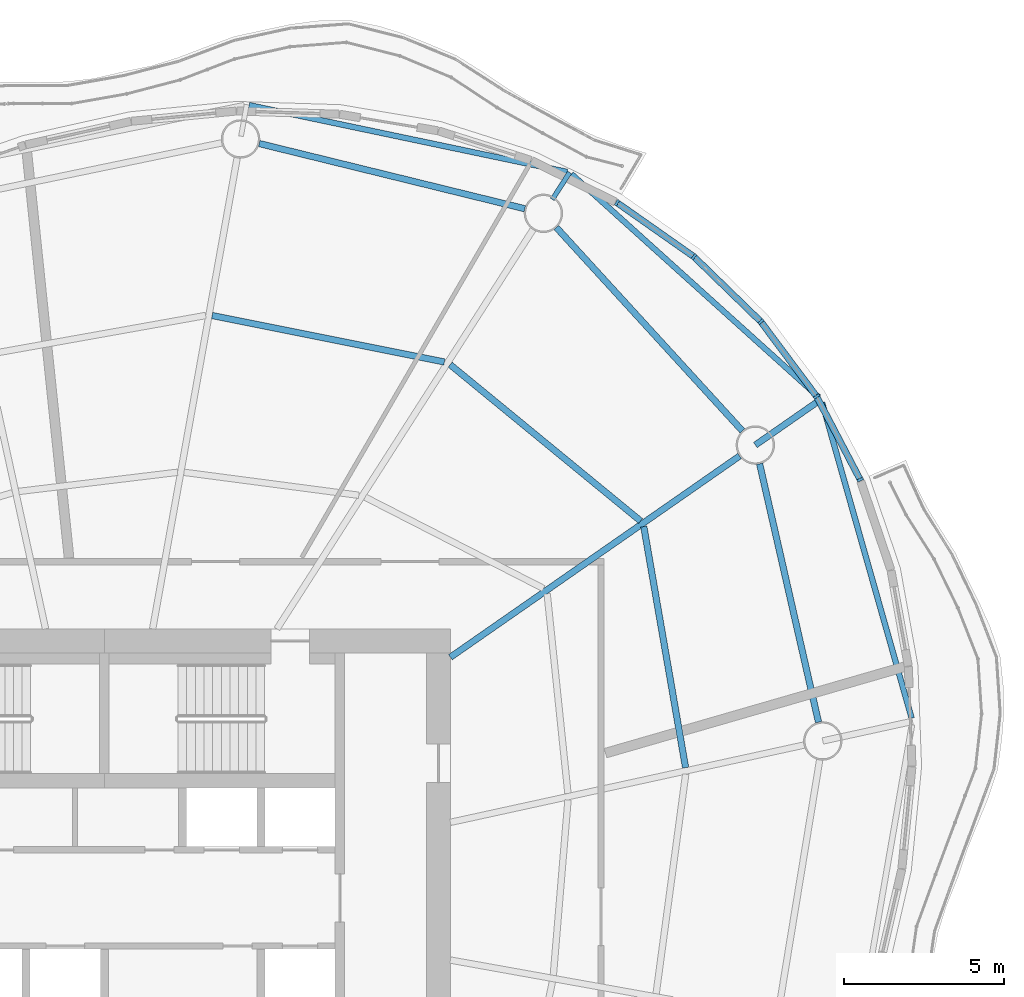
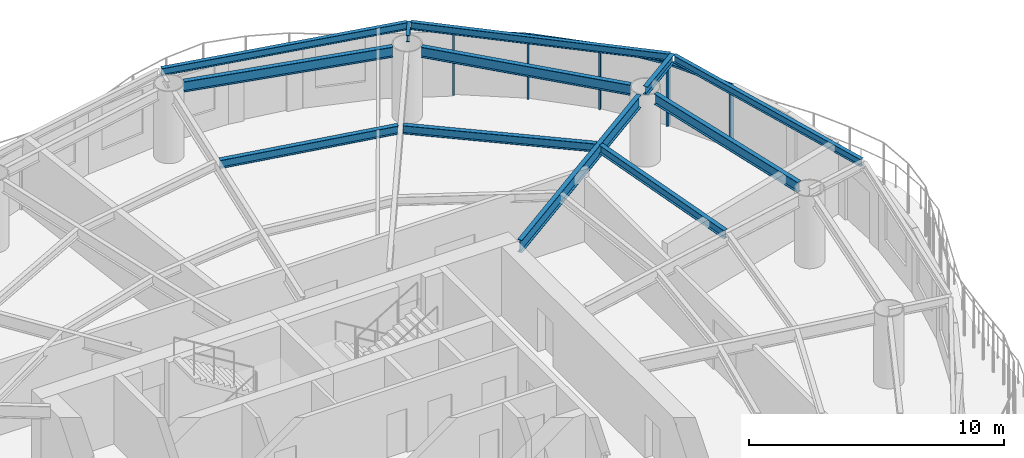
# One storey, part 6 of 14: 12 beams, 9 members, 4 elements without a shape of their own.
"""IFC4 building model written with IfcOpenShell, lengths in metres."""

from ifc_helpers import new_model, si_unit, direction, frame, origin, origin_2d, place, context, subcontext, project, spatial, rectangle, i_section, extrude, material, material_profile, profile_set, type_object, element, aggregate, save


model = new_model("IFC4")

# Units and contexts
model_context = context("Model", 3, precision=1e-05, world=origin(), true_north=direction((0.0, 1.0)))
body_context = subcontext(model_context, "Body", "Model", "MODEL_VIEW")
ifc_project = project(units=[si_unit("LENGTHUNIT", "METRE"), si_unit("AREAUNIT", "SQUARE_METRE"), si_unit("VOLUMEUNIT", "CUBIC_METRE"), si_unit("PLANEANGLEUNIT", "RADIAN"), si_unit("MASSUNIT", "GRAM", prefix="KILO")], contexts=[model_context])

# Site, building, storey
site_placement = place(None, origin())
site = spatial("IfcSite", under=ifc_project, at=site_placement, CompositionType="ELEMENT")
building_placement = place(site_placement, origin())
building = spatial("IfcBuilding", under=site, at=building_placement, Name="Vermilion Reach Broadcast Tower", CompositionType="ELEMENT")
storey_placement = place(building_placement, frame((0.0, 0.0, 199.300048828125)))
storey = spatial("IfcBuildingStorey", under=building, at=storey_placement, Name="L48", CompositionType="ELEMENT", Elevation=199.300048828125)

# Beams
ifc_material_1 = material(Name="Steel S355J2", Category="steel")
ifc_material_profile_1 = material_profile(ifc_material_1, i_section(OverallWidth=0.175048828125, OverallDepth=0.35009765625, WebThickness=0.007080078125, FlangeThickness=0.010986328125, at=origin_2d()), Name="S355J2 HN 350x175x7x11")
ifc_profile_set_1 = profile_set([ifc_material_profile_1], Name="Steel S355J2")
beam_type_1 = type_object("IfcBeamType", Name="EB4 HN 350x175x7x11", PredefinedType="BEAM", material=ifc_profile_set_1)
beam_1_placement = place(storey_placement, frame((8.443359375, 22.66259765625, 3.27490234375), z_axis=(-0.978666322046, 0.205456151268, 0.0), x_axis=(-0.205456151268, -0.978666322046, 0.0)))
element("IfcBeam", 1, at=beam_1_placement, inside=storey, type_object=beam_type_1, Name="Edge beam EB4-01", PredefinedType="BEAM", context=body_context, shape_type="SweptSolid", body=[
    extrude(i_section(OverallWidth=0.175048828125, OverallDepth=0.35009765625, WebThickness=0.007080078125, FlangeThickness=0.010986328125, at=origin_2d()), origin(), (0.0, 0.0, 1.0), 10.144287109375),
])
beam_2_placement = place(storey_placement, frame((19.197509765625, 5.610107421875, 3.27490234375), z_axis=(-0.272961061952, 0.962025082136, 0.0), x_axis=(-0.962025082136, -0.272961061952, 0.0)))
element("IfcBeam", 2, at=beam_2_placement, inside=storey, type_object=beam_type_1, Name="Edge beam EB4-15", PredefinedType="BEAM", context=body_context, shape_type="SweptSolid", body=[
    extrude(i_section(OverallWidth=0.175048828125, OverallDepth=0.35009765625, WebThickness=0.007080078125, FlangeThickness=0.010986328125, at=origin_2d()), origin(), (0.0, 0.0, 1.0), 10.24365234375),
])
beam_3_placement = place(storey_placement, frame((16.296142578125, 15.63525390625, 3.27490234375), z_axis=(-0.742625619429, 0.669706793581, 0.0), x_axis=(-0.669706793581, -0.742625619429, 0.0)))
element("IfcBeam", 3, at=beam_3_placement, inside=storey, type_object=beam_type_1, Name="Edge beam EB4-16", PredefinedType="BEAM", context=body_context, shape_type="SweptSolid", body=[
    extrude(i_section(OverallWidth=0.175048828125, OverallDepth=0.35009765625, WebThickness=0.007080078125, FlangeThickness=0.010986328125, at=origin_2d()), origin(), (0.0, 0.0, 1.0), 10.392578125),
])
ifc_material_2 = material(Name="Steel S355J2", Category="steel")
ifc_material_profile_2 = material_profile(ifc_material_2, i_section(OverallWidth=0.199951171875, OverallDepth=0.60009765625, WebThickness=0.010986328125, FlangeThickness=0.01708984375, at=origin_2d()), Name="S355J2 HN 600x200x11x17")
ifc_profile_set_2 = profile_set([ifc_material_profile_2], Name="Steel S355J2")
beam_type_2 = type_object("IfcBeamType", Name="G4 HN 600x200x11x17", PredefinedType="BEAM", material=ifc_profile_set_2)
beam_4_placement = place(storey_placement, frame((4.800048828125, 7.5146484375, 3.14990234375), z_axis=(0.820848627818, 0.571145804684, 0.0), x_axis=(-0.571145804684, 0.820848627818, 0.0)))
element("IfcBeam", 4, at=beam_4_placement, inside=storey, type_object=beam_type_2, Name="Girder G4-16", PredefinedType="BEAM", context=body_context, shape_type="SweptSolid", body=[
    extrude(i_section(OverallWidth=0.199951171875, OverallDepth=0.60009765625, WebThickness=0.010986328125, FlangeThickness=0.01708984375, at=origin_2d()), origin(), (0.0, 0.0, 1.0), 10.99560546875),
])
ifc_material_3 = material(Name="Steel S355J2", Category="steel")
ifc_material_profile_3 = material_profile(ifc_material_3, i_section(OverallWidth=0.199951171875, OverallDepth=0.39990234375, WebThickness=0.008056640625, FlangeThickness=0.012939453125, at=origin_2d()), Name="S355J2 HN 400x200x8x13")
ifc_profile_set_3 = profile_set([ifc_material_profile_3], Name="Steel S355J2")
beam_type_3 = type_object("IfcBeamType", Name="GC4 HN 400x200x8x13", PredefinedType="BEAM", material=ifc_profile_set_3)
beam_5_placement = place(storey_placement, frame((14.318115234375, 14.13720703125, 3.25), z_axis=(0.820823670159, 0.571181672068, 0.0), x_axis=(-0.571181672068, 0.820823670159, 0.0)))
element("IfcBeam", 5, at=beam_5_placement, inside=storey, type_object=beam_type_3, Name="Cantilever girder GC4-16", PredefinedType="BEAM", context=body_context, shape_type="SweptSolid", body=[
    extrude(i_section(OverallWidth=0.199951171875, OverallDepth=0.39990234375, WebThickness=0.008056640625, FlangeThickness=0.012939453125, at=origin_2d()), origin(), (0.0, 0.0, 1.0), 2.502685546875),
])
ifc_material_4 = material(Name="Steel S355J2", Category="steel")
ifc_material_profile_4 = material_profile(ifc_material_4, i_section(OverallWidth=0.14990234375, OverallDepth=0.300048828125, WebThickness=0.006591796875, FlangeThickness=0.009033203125, at=origin_2d()), Name="S355J2 HN 300x150x6.5x9")
ifc_profile_set_4 = profile_set([ifc_material_profile_4], Name="Steel S355J2")
beam_type_4 = type_object("IfcBeamType", Name="GS4 HN 300x150x6.5x9", PredefinedType="BEAM", material=ifc_profile_set_4)
beam_6_placement = place(storey_placement, frame((7.982177734375, 21.804443359375, 3.300048828125), z_axis=(0.539794777091, 0.841796649213, 0.0), x_axis=(-0.841796649213, 0.539794777091, 0.0)))
element("IfcBeam", 6, at=beam_6_placement, inside=storey, type_object=beam_type_4, Name="Cantilever stub GS4-01", PredefinedType="BEAM", context=body_context, shape_type="SweptSolid", body=[
    extrude(i_section(OverallWidth=0.14990234375, OverallDepth=0.300048828125, WebThickness=0.006591796875, FlangeThickness=0.009033203125, at=origin_2d()), origin(), (0.0, 0.0, 1.0), 1.0),
])
ifc_material_5 = material(Name="Steel S355J2", Category="steel")
ifc_material_profile_5 = material_profile(ifc_material_5, i_section(OverallWidth=0.199951171875, OverallDepth=0.5, WebThickness=0.010009765625, FlangeThickness=0.01611328125, at=origin_2d()), Name="S355J2 HN 500x200x10x16")
ifc_profile_set_5 = profile_set([ifc_material_profile_5], Name="Steel S355J2")
beam_type_5 = type_object("IfcBeamType", Name="RB4 HN 500x200x10x16", PredefinedType="BEAM", material=ifc_profile_set_5)
beam_7_placement = place(storey_placement, frame((7.120849609375, 21.51318359375, 3.199951171875), z_axis=(-0.971158622271, 0.238434331398, 0.0), x_axis=(-0.238434331398, -0.971158622271, 0.0)))
element("IfcBeam", 7, at=beam_7_placement, inside=storey, type_object=beam_type_5, Name="Ring beam RB4-01", PredefinedType="BEAM", context=body_context, shape_type="SweptSolid", body=[
    extrude(i_section(OverallWidth=0.199951171875, OverallDepth=0.5, WebThickness=0.010009765625, FlangeThickness=0.01611328125, at=origin_2d()), origin(), (0.0, 0.0, 1.0), 8.534423828125),
])
beam_8_placement = place(storey_placement, frame((16.290283203125, 5.486572265625, 3.199951171875), z_axis=(-0.222283068275, 0.974982172944, 0.0), x_axis=(-0.974982172944, -0.222283068275, 0.0)))
element("IfcBeam", 8, at=beam_8_placement, inside=storey, type_object=beam_type_5, Name="Ring beam RB4-15", PredefinedType="BEAM", context=body_context, shape_type="SweptSolid", body=[
    extrude(i_section(OverallWidth=0.199951171875, OverallDepth=0.5, WebThickness=0.010009765625, FlangeThickness=0.01611328125, at=origin_2d()), origin(), (0.0, 0.0, 1.0), 8.272705078125),
])
beam_9_placement = place(storey_placement, frame((13.9130859375, 14.580078125, 3.199951171875), z_axis=(-0.674868141417, 0.737938338684, 0.0), x_axis=(-0.737938338684, -0.674868141417, 0.0)))
element("IfcBeam", 9, at=beam_9_placement, inside=storey, type_object=beam_type_5, Name="Ring beam RB4-16", PredefinedType="BEAM", context=body_context, shape_type="SweptSolid", body=[
    extrude(i_section(OverallWidth=0.199951171875, OverallDepth=0.5, WebThickness=0.010009765625, FlangeThickness=0.01611328125, at=origin_2d()), origin(), (0.0, 0.0, 1.0), 8.601318359375),
])
ifc_material_6 = material(Name="Steel S355J2", Category="steel")
ifc_material_profile_6 = material_profile(ifc_material_6, i_section(OverallWidth=0.199951171875, OverallDepth=0.39990234375, WebThickness=0.008056640625, FlangeThickness=0.012939453125, at=origin_2d()), Name="S355J2 HN 400x200x8x13")
ifc_profile_set_6 = profile_set([ifc_material_profile_6], Name="Steel S355J2")
beam_type_6 = type_object("IfcBeamType", Name="SB4 HN 400x200x8x13", PredefinedType="BEAM", material=ifc_profile_set_6)
beam_10_placement = place(storey_placement, frame((4.60986328125, 16.73095703125, 3.25), z_axis=(-0.9805717807, 0.196160604851, 0.0), x_axis=(-0.196160604851, -0.9805717807, 0.0)))
element("IfcBeam", 10, at=beam_10_placement, inside=storey, type_object=beam_type_6, Name="Secondary beam SB4-01-2", PredefinedType="BEAM", context=body_context, shape_type="SweptSolid", body=[
    extrude(i_section(OverallWidth=0.199951171875, OverallDepth=0.39990234375, WebThickness=0.008056640625, FlangeThickness=0.012939453125, at=origin_2d()), origin(), (0.0, 0.0, 1.0), 7.390380859375),
])
beam_11_placement = place(storey_placement, frame((12.141357421875, 4.067626953125, 3.25), z_axis=(-0.170926997669, 0.985283695931, 0.0), x_axis=(-0.985283695931, -0.170926997669, 0.0)))
element("IfcBeam", 11, at=beam_11_placement, inside=storey, type_object=beam_type_6, Name="Secondary beam SB4-15-2", PredefinedType="BEAM", context=body_context, shape_type="SweptSolid", body=[
    extrude(i_section(OverallWidth=0.199951171875, OverallDepth=0.39990234375, WebThickness=0.008056640625, FlangeThickness=0.012939453125, at=origin_2d()), origin(), (0.0, 0.0, 1.0), 7.63720703125),
])
beam_12_placement = place(storey_placement, frame((10.73681640625, 11.76708984375, 3.25), z_axis=(-0.772952000494, 0.6344645025, 0.0), x_axis=(-0.6344645025, -0.772952000494, 0.0)))
element("IfcBeam", 12, at=beam_12_placement, inside=storey, type_object=beam_type_6, Name="Secondary beam SB4-16-2", PredefinedType="BEAM", context=body_context, shape_type="SweptSolid", body=[
    extrude(i_section(OverallWidth=0.199951171875, OverallDepth=0.39990234375, WebThickness=0.008056640625, FlangeThickness=0.012939453125, at=origin_2d()), origin(), (0.0, 0.0, 1.0), 7.689697265625),
])

# Curtain wall, member
ifc_material_7 = material(Name="Low-e laminated clear glass in aluminium frame", Category="aluminium")
curtain_wall_type = type_object("IfcCurtainWallType", Name="Slot curtain wall", PredefinedType="NOTDEFINED", material=ifc_material_7)
placement = place(storey_placement, origin())
curtain_wall_1 = element("IfcCurtainWall", 13, at=placement, inside=storey, type_object=curtain_wall_type, Name="Slot curtain wall L48 46", PredefinedType="NOTDEFINED")
ifc_material_8 = material(Name="Anodised aluminium", Category="aluminium")
ifc_material_profile_7 = material_profile(ifc_material_8, rectangle(XDim=0.199951171875, YDim=0.080078125, at=origin_2d()), Name="Slot mullion 80 x 200")
ifc_profile_set_7 = profile_set([ifc_material_profile_7], Name="Anodised aluminium")
member_type_1 = type_object("IfcMemberType", Name="Slot mullion 80 x 200", PredefinedType="MULLION", material=ifc_profile_set_7)
member_1_placement = place(storey_placement, frame((17.591064453125, 13.05517578125, 0.0), z_axis=(0.0, 0.0, 1.0), x_axis=(-0.919090322703, -0.394046924507, 0.0)))
member_1 = element("IfcMember", 14, at=member_1_placement, type_object=member_type_1, Name="Slot mullion L48 46", PredefinedType="MULLION", context=body_context, shape_type="SweptSolid", body=[
    extrude(rectangle(XDim=0.199951171875, YDim=0.080078125, at=origin_2d()), origin(), (0.0, 0.0, 1.0), 3.050048828125),
])

curtain_wall_2 = element("IfcCurtainWall", 15, at=placement, inside=storey, type_object=curtain_wall_type, Name="Slot curtain wall L48 47", PredefinedType="NOTDEFINED")
member_2_placement = place(storey_placement, frame((16.229736328125, 15.6552734375, 0.0), z_axis=(0.0, 0.0, 1.0), x_axis=(-0.846461764077, -0.532449511181, 0.0)))
member_2 = element("IfcMember", 16, at=member_2_placement, type_object=member_type_1, Name="Slot mullion L48 47", PredefinedType="MULLION", context=body_context, shape_type="SweptSolid", body=[
    extrude(rectangle(XDim=0.199951171875, YDim=0.080078125, at=origin_2d()), origin(), (0.0, 0.0, 1.0), 3.050048828125),
])

curtain_wall_3 = element("IfcCurtainWall", 17, at=placement, inside=storey, type_object=curtain_wall_type, Name="Slot curtain wall L48 00", PredefinedType="NOTDEFINED")
member_3_placement = place(storey_placement, frame((14.490234375, 17.988525390625, 0.0), z_axis=(0.0, 0.0, 1.0), x_axis=(-0.751494426094, -0.659739439134, 0.0)))
member_3 = element("IfcMember", 18, at=member_3_placement, type_object=member_type_1, Name="Slot mullion L48 00", PredefinedType="MULLION", context=body_context, shape_type="SweptSolid", body=[
    extrude(rectangle(XDim=0.199951171875, YDim=0.080078125, at=origin_2d()), origin(), (0.0, 0.0, 1.0), 3.050048828125),
])

# Curtain wall, members
curtain_wall_4 = element("IfcCurtainWall", 19, at=placement, inside=storey, type_object=curtain_wall_type, Name="Slot curtain wall L48 01", PredefinedType="NOTDEFINED")
member_4_placement = place(storey_placement, frame((12.402099609375, 20.015380859375, 0.0), z_axis=(0.0, 0.0, 1.0), x_axis=(-0.637573364986, -0.77038964444, 0.0)))
member_4 = element("IfcMember", 20, at=member_4_placement, type_object=member_type_1, Name="Slot mullion L48 01", PredefinedType="MULLION", context=body_context, shape_type="SweptSolid", body=[
    extrude(rectangle(XDim=0.199951171875, YDim=0.080078125, at=origin_2d()), origin(), (0.0, 0.0, 1.0), 3.050048828125),
])
member_5_placement = place(storey_placement, frame((10.0, 21.7021484375, 0.0), z_axis=(0.0, 0.0, 1.0), x_axis=(-0.509740591104, -0.860328152382, 0.0)))
member_5 = element("IfcMember", 21, at=member_5_placement, type_object=member_type_1, Name="Slot mullion L48 02", PredefinedType="MULLION", context=body_context, shape_type="SweptSolid", body=[
    extrude(rectangle(XDim=0.199951171875, YDim=0.080078125, at=origin_2d()), origin(), (0.0, 0.0, 1.0), 3.050048828125),
])

# Member
ifc_material_9 = material(Name="Anodised aluminium", Category="aluminium")
ifc_material_profile_8 = material_profile(ifc_material_9, rectangle(XDim=0.199951171875, YDim=0.10009765625, at=origin_2d()), Name="Slot transom 200 x 100")
ifc_profile_set_8 = profile_set([ifc_material_profile_8], Name="Anodised aluminium")
member_type_2 = type_object("IfcMemberType", Name="Slot transom 200 x 100", PredefinedType="USERDEFINED", material=ifc_profile_set_8)
member_6_placement = place(storey_placement, frame((17.572509765625, 13.090576171875, 3.0), z_axis=(-0.463828044834, 0.885925247877, 0.0), x_axis=(-0.885925247877, -0.463828044834, 0.0)))
member_6 = element("IfcMember", 22, at=member_6_placement, type_object=member_type_2, Name="Slot transom L48 46.1", ObjectType="TRANSOM", PredefinedType="USERDEFINED", context=body_context, shape_type="SweptSolid", body=[
    extrude(rectangle(XDim=0.199951171875, YDim=0.10009765625, at=origin_2d()), origin(), (0.0, 0.0, 1.0), 2.85498046875),
])

aggregate(curtain_wall_1, [member_1, member_6])

member_7_placement = place(storey_placement, frame((16.205810546875, 15.6875, 3.0), z_axis=(-0.597747769862, 0.801684229373, 0.0), x_axis=(-0.801684229373, -0.597747769862, 0.0)))
member_7 = element("IfcMember", 23, at=member_7_placement, type_object=member_type_2, Name="Slot transom L48 47.1", ObjectType="TRANSOM", PredefinedType="USERDEFINED", context=body_context, shape_type="SweptSolid", body=[
    extrude(rectangle(XDim=0.199951171875, YDim=0.10009765625, at=origin_2d()), origin(), (0.0, 0.0, 1.0), 2.830078125),
])

aggregate(curtain_wall_2, [member_2, member_7])

member_8_placement = place(storey_placement, frame((14.46142578125, 18.016357421875, 3.0), z_axis=(-0.717552794199, 0.696504118822, 0.0), x_axis=(-0.696504118822, -0.717552794199, 0.0)))
member_8 = element("IfcMember", 24, at=member_8_placement, type_object=member_type_2, Name="Slot transom L48 00.1", ObjectType="TRANSOM", PredefinedType="USERDEFINED", context=body_context, shape_type="SweptSolid", body=[
    extrude(rectangle(XDim=0.199951171875, YDim=0.10009765625, at=origin_2d()), origin(), (0.0, 0.0, 1.0), 2.830078125),
])

aggregate(curtain_wall_3, [member_3, member_8])

member_9_placement = place(storey_placement, frame((12.369384765625, 20.038330078125, 3.0), z_axis=(-0.818415591372, 0.574626765648, 0.0), x_axis=(-0.574626765648, -0.818415591372, 0.0)))
member_9 = element("IfcMember", 25, at=member_9_placement, type_object=member_type_2, Name="Slot transom L48 01.1", ObjectType="TRANSOM", PredefinedType="USERDEFINED", context=body_context, shape_type="SweptSolid", body=[
    extrude(rectangle(XDim=0.199951171875, YDim=0.10009765625, at=origin_2d()), origin(), (0.0, 0.0, 1.0), 2.855224609375),
])

aggregate(curtain_wall_4, [member_4, member_5, member_9])

save(model, "model.ifc")
